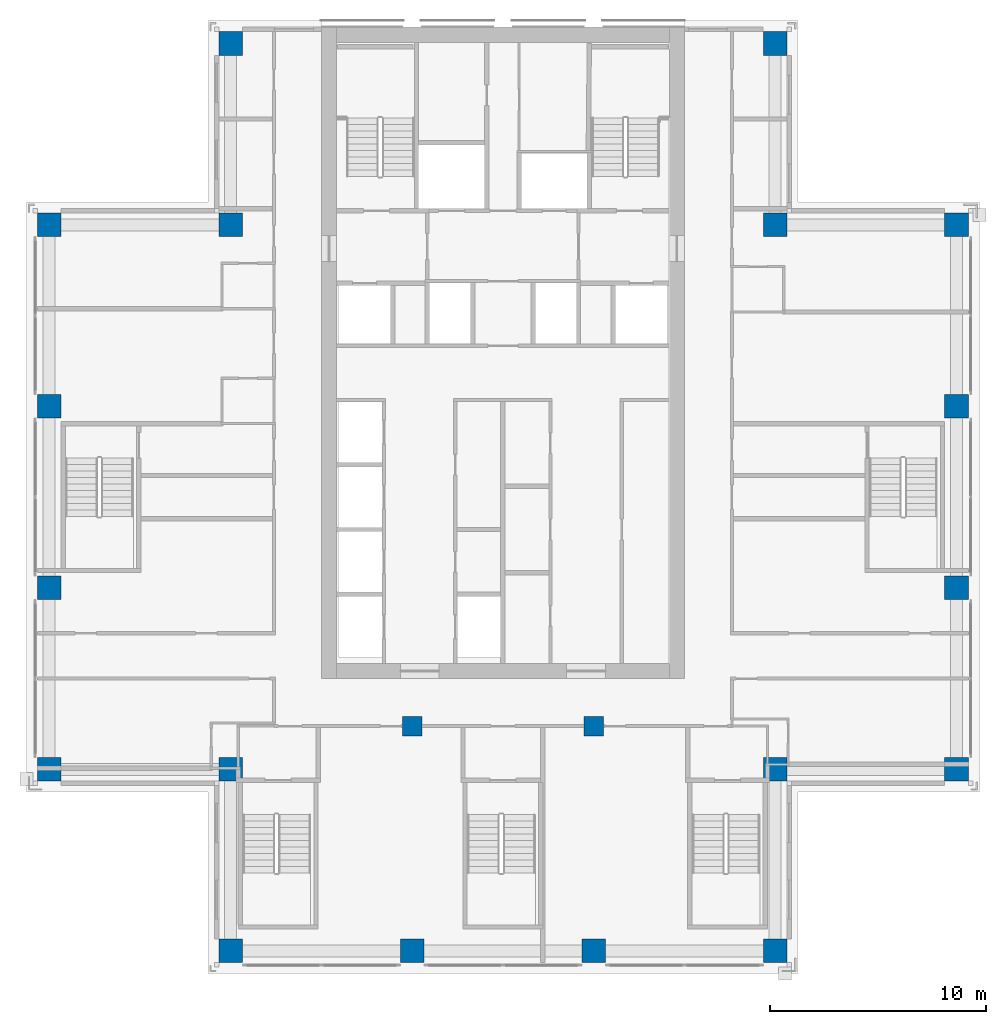
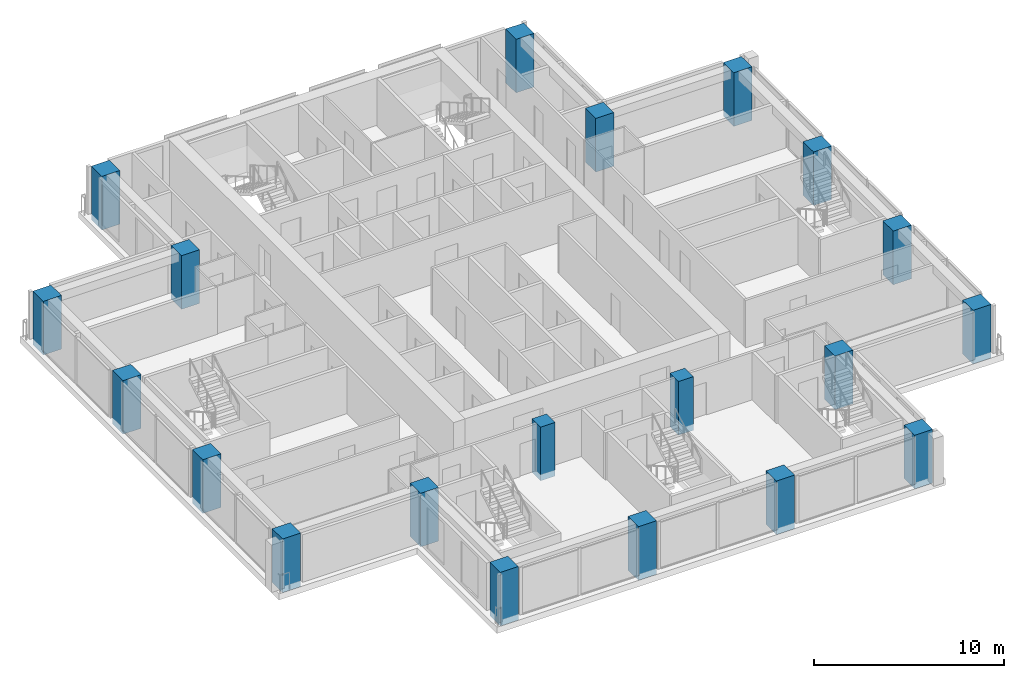
# One storey, part 1 of 16: 20 columns.
"""IFC4 building model written with IfcOpenShell, lengths in metres."""

from ifc_helpers import new_model, si_unit, direction, frame, origin, origin_2d, place, context, subcontext, project, spatial, rectangle, extrude, material, material_profile, profile_set, type_object, element, save


model = new_model("IFC4")

# Units and contexts
model_context = context("Model", 3, precision=1e-05, world=origin(), true_north=direction((0.0, 1.0)))
body_context = subcontext(model_context, "Body", "Model", "MODEL_VIEW")
ifc_project = project(units=[si_unit("LENGTHUNIT", "METRE"), si_unit("AREAUNIT", "SQUARE_METRE"), si_unit("VOLUMEUNIT", "CUBIC_METRE"), si_unit("PLANEANGLEUNIT", "RADIAN"), si_unit("MASSUNIT", "GRAM", prefix="KILO")], contexts=[model_context])

# Site, building, storey
site_placement = place(None, origin())
site = spatial("IfcSite", under=ifc_project, at=site_placement, CompositionType="ELEMENT")
building_placement = place(site_placement, origin())
building = spatial("IfcBuilding", under=site, at=building_placement, Name="Vermilion Ogive Tower", CompositionType="ELEMENT")
storey_placement = place(building_placement, frame((0.0, 0.0, 160.699951171875)))
storey = spatial("IfcBuildingStorey", under=building, at=storey_placement, Name="L41", CompositionType="ELEMENT", Elevation=160.699951171875)

# Columns
ifc_material_1 = material(Name="Concrete B60", Category="concrete")
ifc_material_profile_1 = material_profile(ifc_material_1, rectangle(XDim=1.10009765625, YDim=1.10009765625, at=origin_2d()), Name="1100 x 1100")
ifc_profile_set_1 = profile_set([ifc_material_profile_1], Name="Concrete B60")
column_type_1 = type_object("IfcColumnType", Name="Perimeter column 1100 x 1100 B60", PredefinedType="COLUMN", material=ifc_profile_set_1)
for number, where, z_axis, x_axis, name in (
    (1, (-12.60009765625, -21.0, -0.39990234375), (0.0, 0.0, 1.0), (1.0, 0.0, 0.0), "COL-L41-P-0126-210"),
    (2, (-4.199951171875, -21.0, -0.39990234375), (0.0, 0.0, 1.0), (1.0, 0.0, 0.0), "COL-L41-P-0042-210"),
    (3, (4.199951171875, -21.0, -0.39990234375), (0.0, 0.0, 1.0), (1.0, 0.0, 0.0), "COL-L41-P+0042-210"),
    (4, (12.60009765625, -21.0, -0.39990234375), (0.0, 0.0, 1.0), (1.0, 0.0, 0.0), "COL-L41-P+0126-210"),
    (5, (-21.0, -12.60009765625, -0.39990234375), (0.0, 0.0, 1.0), (1.0, 0.0, 0.0), "COL-L41-P-0210-126"),
    (6, (-12.60009765625, -12.60009765625, -0.39990234375), (0.0, 0.0, 1.0), (1.0, 0.0, 0.0), "COL-L41-P-0126-126"),
    (7, (12.60009765625, -12.60009765625, -0.39990234375), (0.0, 0.0, 1.0), (1.0, 0.0, 0.0), "COL-L41-P+0126-126"),
    (8, (21.0, -12.60009765625, -0.39990234375), (0.0, 0.0, 1.0), (1.0, 0.0, 0.0), "COL-L41-P+0210-126"),
    (9, (-21.0, -4.199951171875, -0.39990234375), (0.0, 0.0, 1.0), (1.0, 0.0, 0.0), "COL-L41-P-0210-042"),
    (10, (21.0, -4.199951171875, -0.39990234375), (0.0, 0.0, 1.0), (1.0, 0.0, 0.0), "COL-L41-P+0210-042"),
    (11, (-21.0, 4.199951171875, -0.39990234375), (0.0, 0.0, 1.0), (1.0, 0.0, 0.0), "COL-L41-P-0210+042"),
    (12, (21.0, 4.199951171875, -0.39990234375), (0.0, 0.0, 1.0), (1.0, 0.0, 0.0), "COL-L41-P+0210+042"),
    (13, (-21.0, 12.60009765625, -0.39990234375), (0.0, 0.0, 1.0), (1.0, 0.0, 0.0), "COL-L41-P-0210+126"),
    (14, (-12.60009765625, 12.60009765625, -0.39990234375), (0.0, 0.0, 1.0), (1.0, 0.0, 0.0), "COL-L41-P-0126+126"),
    (15, (12.60009765625, 12.60009765625, -0.39990234375), (0.0, 0.0, 1.0), (1.0, 0.0, 0.0), "COL-L41-P+0126+126"),
    (16, (21.0, 12.60009765625, -0.39990234375), (0.0, 0.0, 1.0), (1.0, 0.0, 0.0), "COL-L41-P+0210+126"),
    (17, (-12.60009765625, 21.0, -0.39990234375), (0.0, 0.0, 1.0), (1.0, 0.0, 0.0), "COL-L41-P-0126+210"),
    (18, (12.60009765625, 21.0, -0.39990234375), (0.0, 0.0, 1.0), (1.0, 0.0, 0.0), "COL-L41-P+0126+210"),
):
    element("IfcColumn", number, at=place(storey_placement, frame(where, z_axis=z_axis, x_axis=x_axis)), inside=storey, type_object=column_type_1, Name=name, PredefinedType="COLUMN", context=body_context, shape_type="SweptSolid", body=[
        extrude(rectangle(XDim=1.10009765625, YDim=1.10009765625, at=origin_2d()), origin(), (0.0, 0.0, 1.0), 3.449951171875),
    ])
ifc_material_2 = material(Name="Concrete B60", Category="concrete")
ifc_material_profile_2 = material_profile(ifc_material_2, rectangle(XDim=0.89990234375, YDim=0.89990234375, at=origin_2d()), Name="900 x 900")
ifc_profile_set_2 = profile_set([ifc_material_profile_2], Name="Concrete B60")
column_type_2 = type_object("IfcColumnType", Name="Ring column 900 x 900 B60", PredefinedType="COLUMN", material=ifc_profile_set_2)
for number, where, z_axis, x_axis, name in (
    (19, (-4.199951171875, -10.60009765625, -0.39990234375), (0.0, 0.0, 1.0), (1.0, 0.0, 0.0), "COL-L41-R-0042-106"),
    (20, (4.199951171875, -10.60009765625, -0.39990234375), (0.0, 0.0, 1.0), (1.0, 0.0, 0.0), "COL-L41-R+0042-106"),
):
    element("IfcColumn", number, at=place(storey_placement, frame(where, z_axis=z_axis, x_axis=x_axis)), inside=storey, type_object=column_type_2, Name=name, PredefinedType="COLUMN", context=body_context, shape_type="SweptSolid", body=[
        extrude(rectangle(XDim=0.89990234375, YDim=0.89990234375, at=origin_2d()), origin(), (0.0, 0.0, 1.0), 3.449951171875),
    ])

save(model, "model.ifc")
